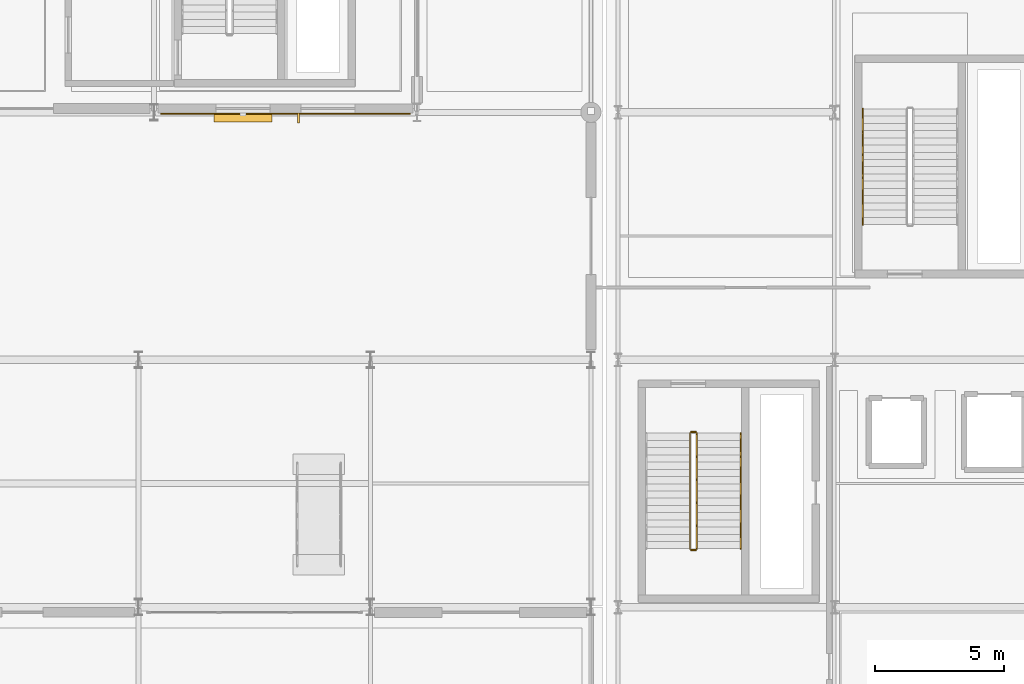
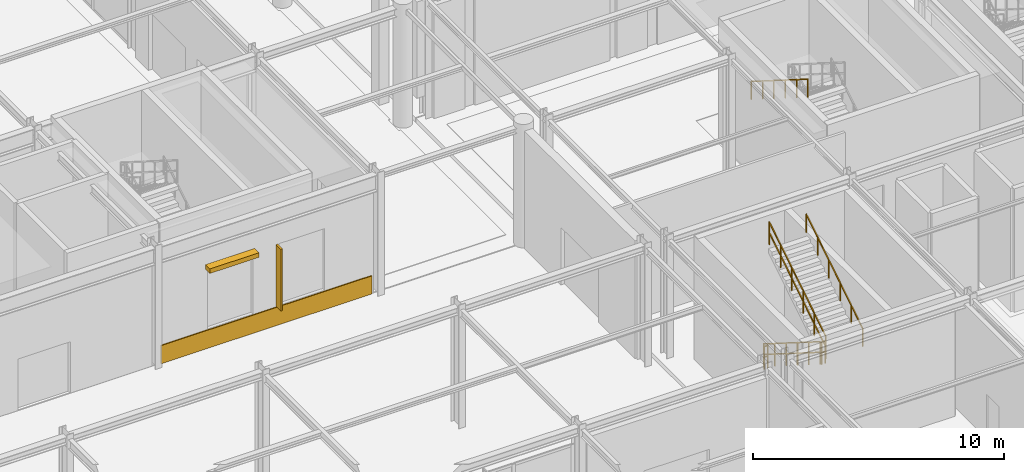
# One storey, part 81 of 113: 6 railings, 2 shading devices, 1 covering.
"""IFC4 building model written with IfcOpenShell, lengths in metres."""

from ifc_helpers import new_model, si_unit, direction, frame, origin, origin_2d, place, context, subcontext, project, spatial, rectangle, extrude, material, layer, layer_set, type_object, element, save


model = new_model("IFC4")

# Units and contexts
model_context = context("Model", 3, precision=1e-05, world=origin(), true_north=direction((0.0, 1.0)))
body_context = subcontext(model_context, "Body", "Model", "MODEL_VIEW")
ifc_project = project(units=[si_unit("LENGTHUNIT", "METRE"), si_unit("AREAUNIT", "SQUARE_METRE"), si_unit("VOLUMEUNIT", "CUBIC_METRE"), si_unit("PLANEANGLEUNIT", "RADIAN"), si_unit("MASSUNIT", "GRAM", prefix="KILO")], contexts=[model_context])

# Site, building, storey
site_placement = place(None, origin())
site = spatial("IfcSite", under=ifc_project, at=site_placement, CompositionType="ELEMENT")
building_placement = place(site_placement, origin())
building = spatial("IfcBuilding", under=site, at=building_placement, Name="Myrtia Square Station", CompositionType="ELEMENT")
storey_placement = place(building_placement, origin())
storey = spatial("IfcBuildingStorey", under=building, at=storey_placement, Name="L00", CompositionType="ELEMENT", Elevation=0.0)

# Covering
ifc_material_1 = material(Name="Pentelic marble ashlar", Category="masonry")
ifc_layer = layer(ifc_material_1, 0.050048828125, Name="Pentelic marble ashlar")
ifc_layer_set = layer_set([ifc_layer], Name="Pentelic marble ashlar")
covering_type = type_object("IfcCoveringType", Name="COV-CLAD-ASHLAR", PredefinedType="CLADDING", material=ifc_layer_set)
covering_placement = place(storey_placement, frame((104.699951171875, 28.7451171875, 0.0), z_axis=(0.0, 0.0, 1.0), x_axis=(1.0, 0.0, 0.0)))
element("IfcCovering", 1, at=covering_placement, inside=storey, type_object=covering_type, Name="Spanish Colonial Revival dado cladding 003", PredefinedType="CLADDING", context=body_context, shape_type="SweptSolid", body=[
    extrude(rectangle(XDim=9.68994140625, YDim=0.050048828125, at=origin_2d()), origin(), (0.0, 0.0, 1.0), 0.8798828125),
])

# Railings
ifc_material_2 = material(Name="Dark bronze anodised aluminium", Category="aluminium")
railing_type_1 = type_object("IfcRailingType", Name="RL-HANDRAIL-900", PredefinedType="HANDRAIL", material=ifc_material_2)
railing_1_placement = place(storey_placement, frame((122.360107421875, 11.8701171875, 3.176513671875)))
element("IfcRailing", 2, at=railing_1_placement, inside=storey, type_object=railing_type_1, Name="L00 ST05 stair handrail 2", PredefinedType="HANDRAIL", context=body_context, shape_type="SweptSolid", body=[
    extrude(rectangle(XDim=0.048095703125, YDim=0.048095703125, at=origin_2d()), frame((0.0, 0.029296875, 0.894287109375), z_axis=(0.0, 0.845997938375, 0.533186166611), x_axis=(-1.0, 0.0, 0.0)), (0.0, 0.0, 1.0), 0.98974609375),
    extrude(rectangle(XDim=0.048095703125, YDim=0.048095703125, at=origin_2d()), frame((0.0, 0.92529296875, 1.458984375), z_axis=(0.0, 0.845997938375, 0.533186166611), x_axis=(-1.0, 0.0, 0.0)), (0.0, 0.0, 1.0), 0.98974609375),
    extrude(rectangle(XDim=0.048095703125, YDim=0.048095703125, at=origin_2d()), frame((0.0, 1.8212890625, 2.023681640625), z_axis=(0.0, 0.845997938375, 0.533186166611), x_axis=(-1.0, 0.0, 0.0)), (0.0, 0.0, 1.0), 0.98974609375),
    extrude(rectangle(XDim=0.048095703125, YDim=0.048095703125, at=origin_2d()), frame((0.0, 2.71728515625, 2.58837890625), z_axis=(0.0, 0.845997938375, 0.533186166611), x_axis=(-1.0, 0.0, 0.0)), (0.0, 0.0, 1.0), 0.98974609375),
    extrude(rectangle(XDim=0.048095703125, YDim=0.048095703125, at=origin_2d()), frame((0.0, 3.61328125, 3.153076171875), z_axis=(0.0, 0.845997938375, 0.533186166611), x_axis=(-1.0, 0.0, 0.0)), (0.0, 0.0, 1.0), 0.98974609375),
    extrude(rectangle(XDim=0.0439453125, YDim=0.0439453125, at=origin_2d()), origin(), (0.0, 0.0, 1.0), 0.89990234375),
    extrude(rectangle(XDim=0.0439453125, YDim=0.0439453125, at=origin_2d()), frame((0.0, 0.89599609375, 0.564697265625)), (0.0, 0.0, 1.0), 0.89990234375),
    extrude(rectangle(XDim=0.0439453125, YDim=0.0439453125, at=origin_2d()), frame((0.0, 1.7919921875, 1.12939453125)), (0.0, 0.0, 1.0), 0.89990234375),
    extrude(rectangle(XDim=0.0439453125, YDim=0.0439453125, at=origin_2d()), frame((0.0, 2.68798828125, 1.694091796875)), (0.0, 0.0, 1.0), 0.89990234375),
    extrude(rectangle(XDim=0.0439453125, YDim=0.0439453125, at=origin_2d()), frame((0.0, 3.583984375, 2.2587890625)), (0.0, 0.0, 1.0), 0.89990234375),
    extrude(rectangle(XDim=0.0439453125, YDim=0.0439453125, at=origin_2d()), frame((0.0, 4.47998046875, 2.823486328125)), (0.0, 0.0, 1.0), 0.89990234375),
])
railing_2_placement = place(storey_placement, frame((127.10009765625, 28.929931640625, 3.176513671875)))
element("IfcRailing", 3, at=railing_2_placement, inside=storey, type_object=railing_type_1, Name="L00 ST10 stair handrail 2", PredefinedType="HANDRAIL", context=body_context, shape_type="SweptSolid", body=[
    extrude(rectangle(XDim=0.048095703125, YDim=0.048095703125, at=origin_2d()), frame((0.0, -0.029296875, 0.894287109375), z_axis=(0.0, -0.845997938375, 0.533186166611), x_axis=(1.0, 0.0, 0.0)), (0.0, 0.0, 1.0), 0.98974609375),
    extrude(rectangle(XDim=0.048095703125, YDim=0.048095703125, at=origin_2d()), frame((0.0, -0.92529296875, 1.458984375), z_axis=(0.0, -0.845997938375, 0.533186166611), x_axis=(1.0, 0.0, 0.0)), (0.0, 0.0, 1.0), 0.98974609375),
    extrude(rectangle(XDim=0.048095703125, YDim=0.048095703125, at=origin_2d()), frame((0.0, -1.8212890625, 2.023681640625), z_axis=(0.0, -0.845997938375, 0.533186166611), x_axis=(1.0, 0.0, 0.0)), (0.0, 0.0, 1.0), 0.98974609375),
    extrude(rectangle(XDim=0.048095703125, YDim=0.048095703125, at=origin_2d()), frame((0.0, -2.71728515625, 2.58837890625), z_axis=(0.0, -0.845997938375, 0.533186166611), x_axis=(1.0, 0.0, 0.0)), (0.0, 0.0, 1.0), 0.98974609375),
    extrude(rectangle(XDim=0.048095703125, YDim=0.048095703125, at=origin_2d()), frame((0.0, -3.61328125, 3.153076171875), z_axis=(0.0, -0.845997938375, 0.533186166611), x_axis=(1.0, 0.0, 0.0)), (0.0, 0.0, 1.0), 0.98974609375),
    extrude(rectangle(XDim=0.0439453125, YDim=0.0439453125, at=origin_2d()), origin(), (0.0, 0.0, 1.0), 0.89990234375),
    extrude(rectangle(XDim=0.0439453125, YDim=0.0439453125, at=origin_2d()), frame((0.0, -0.89599609375, 0.564697265625)), (0.0, 0.0, 1.0), 0.89990234375),
    extrude(rectangle(XDim=0.0439453125, YDim=0.0439453125, at=origin_2d()), frame((0.0, -1.7919921875, 1.12939453125)), (0.0, 0.0, 1.0), 0.89990234375),
    extrude(rectangle(XDim=0.0439453125, YDim=0.0439453125, at=origin_2d()), frame((0.0, -2.68798828125, 1.694091796875)), (0.0, 0.0, 1.0), 0.89990234375),
    extrude(rectangle(XDim=0.0439453125, YDim=0.0439453125, at=origin_2d()), frame((0.0, -3.583984375, 2.2587890625)), (0.0, 0.0, 1.0), 0.89990234375),
    extrude(rectangle(XDim=0.0439453125, YDim=0.0439453125, at=origin_2d()), frame((0.0, -4.47998046875, 2.823486328125)), (0.0, 0.0, 1.0), 0.89990234375),
])
ifc_material_3 = material(Name="Wrought iron", Category="steel")
railing_type_2 = type_object("IfcRailingType", Name="RL-INT-GUARD-1100", PredefinedType="BALUSTRADE", material=ifc_material_3)
railing_3_placement = place(storey_placement, frame((120.39990234375, 16.35009765625, 0.176513671875)))
element("IfcRailing", 4, at=railing_3_placement, inside=storey, type_object=railing_type_2, Name="L00 ST05 stair guard 1", PredefinedType="BALUSTRADE", context=body_context, shape_type="SweptSolid", body=[
    extrude(rectangle(XDim=0.048095703125, YDim=0.048095703125, at=origin_2d()), frame((0.0, -0.029296875, 1.114501953125), z_axis=(0.0, -0.845997938375, 0.533186166611), x_axis=(1.0, 0.0, 0.0)), (0.0, 0.0, 1.0), 0.98974609375),
    extrude(rectangle(XDim=0.048095703125, YDim=0.048095703125, at=origin_2d()), frame((0.0, -0.029296875, 0.600830078125), z_axis=(0.0, -0.845997938375, 0.533186166611), x_axis=(1.0, 0.0, 0.0)), (0.0, 0.0, 1.0), 0.98974609375),
    extrude(rectangle(XDim=0.048095703125, YDim=0.048095703125, at=origin_2d()), frame((0.0, -0.92529296875, 1.67919921875), z_axis=(0.0, -0.845997938375, 0.533186166611), x_axis=(1.0, 0.0, 0.0)), (0.0, 0.0, 1.0), 0.98974609375),
    extrude(rectangle(XDim=0.048095703125, YDim=0.048095703125, at=origin_2d()), frame((0.0, -0.92529296875, 1.16552734375), z_axis=(0.0, -0.845997938375, 0.533186166611), x_axis=(1.0, 0.0, 0.0)), (0.0, 0.0, 1.0), 0.98974609375),
    extrude(rectangle(XDim=0.048095703125, YDim=0.048095703125, at=origin_2d()), frame((0.0, -1.8212890625, 2.243896484375), z_axis=(0.0, -0.845997938375, 0.533186166611), x_axis=(1.0, 0.0, 0.0)), (0.0, 0.0, 1.0), 0.98974609375),
    extrude(rectangle(XDim=0.048095703125, YDim=0.048095703125, at=origin_2d()), frame((0.0, -1.8212890625, 1.730224609375), z_axis=(0.0, -0.845997938375, 0.533186166611), x_axis=(1.0, 0.0, 0.0)), (0.0, 0.0, 1.0), 0.98974609375),
    extrude(rectangle(XDim=0.048095703125, YDim=0.048095703125, at=origin_2d()), frame((0.0, -2.71728515625, 2.80859375), z_axis=(0.0, -0.845997938375, 0.533186166611), x_axis=(1.0, 0.0, 0.0)), (0.0, 0.0, 1.0), 0.98974609375),
    extrude(rectangle(XDim=0.048095703125, YDim=0.048095703125, at=origin_2d()), frame((0.0, -2.71728515625, 2.294921875), z_axis=(0.0, -0.845997938375, 0.533186166611), x_axis=(1.0, 0.0, 0.0)), (0.0, 0.0, 1.0), 0.98974609375),
    extrude(rectangle(XDim=0.048095703125, YDim=0.048095703125, at=origin_2d()), frame((0.0, -3.61328125, 3.373291015625), z_axis=(0.0, -0.845997938375, 0.533186166611), x_axis=(1.0, 0.0, 0.0)), (0.0, 0.0, 1.0), 0.98974609375),
    extrude(rectangle(XDim=0.048095703125, YDim=0.048095703125, at=origin_2d()), frame((0.0, -3.61328125, 2.859619140625), z_axis=(0.0, -0.845997938375, 0.533186166611), x_axis=(1.0, 0.0, 0.0)), (0.0, 0.0, 1.0), 0.98974609375),
    extrude(rectangle(XDim=0.0439453125, YDim=0.0439453125, at=origin_2d()), origin(), (0.0, 0.0, 1.0), 1.1201171875),
    extrude(rectangle(XDim=0.0439453125, YDim=0.0439453125, at=origin_2d()), frame((0.0, -0.89599609375, 0.564697265625)), (0.0, 0.0, 1.0), 1.1201171875),
    extrude(rectangle(XDim=0.0439453125, YDim=0.0439453125, at=origin_2d()), frame((0.0, -1.7919921875, 1.12939453125)), (0.0, 0.0, 1.0), 1.1201171875),
    extrude(rectangle(XDim=0.0439453125, YDim=0.0439453125, at=origin_2d()), frame((0.0, -2.68798828125, 1.694091796875)), (0.0, 0.0, 1.0), 1.1201171875),
    extrude(rectangle(XDim=0.0439453125, YDim=0.0439453125, at=origin_2d()), frame((0.0, -3.583984375, 2.2587890625)), (0.0, 0.0, 1.0), 1.1201171875),
    extrude(rectangle(XDim=0.0439453125, YDim=0.0439453125, at=origin_2d()), frame((0.0, -4.47998046875, 2.823486328125)), (0.0, 0.0, 1.0), 1.1201171875),
])
railing_4_placement = place(storey_placement, frame((120.449951171875, 11.820068359375, 3.0)))
element("IfcRailing", 5, at=railing_4_placement, inside=storey, type_object=railing_type_2, Name="L00 ST05 stair guard 2", PredefinedType="BALUSTRADE", context=body_context, shape_type="SweptSolid", body=[
    extrude(rectangle(XDim=0.048095703125, YDim=0.048095703125, at=origin_2d()), frame((0.03466796875, 0.0, 1.09619140625), z_axis=(1.0, 0.0, 0.0), x_axis=(0.0, 1.0, 0.0)), (0.0, 0.0, 1.0), 0.0908203125),
    extrude(rectangle(XDim=0.048095703125, YDim=0.048095703125, at=origin_2d()), frame((0.03466796875, 0.0, 0.58251953125), z_axis=(1.0, 0.0, 0.0), x_axis=(0.0, 1.0, 0.0)), (0.0, 0.0, 1.0), 0.0908203125),
    extrude(rectangle(XDim=0.0439453125, YDim=0.0439453125, at=origin_2d()), origin(), (0.0, 0.0, 1.0), 1.1201171875),
    extrude(rectangle(XDim=0.0439453125, YDim=0.0439453125, at=origin_2d()), frame((0.16015625, 0.0, 0.0)), (0.0, 0.0, 1.0), 1.1201171875),
])
railing_5_placement = place(storey_placement, frame((120.659912109375, 11.8701171875, 3.176513671875)))
element("IfcRailing", 6, at=railing_5_placement, inside=storey, type_object=railing_type_2, Name="L00 ST05 stair guard 3", PredefinedType="BALUSTRADE", context=body_context, shape_type="SweptSolid", body=[
    extrude(rectangle(XDim=0.048095703125, YDim=0.048095703125, at=origin_2d()), frame((0.0, 0.029296875, 1.114501953125), z_axis=(0.0, 0.845997938375, 0.533186166611), x_axis=(-1.0, 0.0, 0.0)), (0.0, 0.0, 1.0), 0.98974609375),
    extrude(rectangle(XDim=0.048095703125, YDim=0.048095703125, at=origin_2d()), frame((0.0, 0.029296875, 0.600830078125), z_axis=(0.0, 0.845997938375, 0.533186166611), x_axis=(-1.0, 0.0, 0.0)), (0.0, 0.0, 1.0), 0.98974609375),
    extrude(rectangle(XDim=0.048095703125, YDim=0.048095703125, at=origin_2d()), frame((0.0, 0.92529296875, 1.67919921875), z_axis=(0.0, 0.845997938375, 0.533186166611), x_axis=(-1.0, 0.0, 0.0)), (0.0, 0.0, 1.0), 0.98974609375),
    extrude(rectangle(XDim=0.048095703125, YDim=0.048095703125, at=origin_2d()), frame((0.0, 0.92529296875, 1.16552734375), z_axis=(0.0, 0.845997938375, 0.533186166611), x_axis=(-1.0, 0.0, 0.0)), (0.0, 0.0, 1.0), 0.98974609375),
    extrude(rectangle(XDim=0.048095703125, YDim=0.048095703125, at=origin_2d()), frame((0.0, 1.8212890625, 2.243896484375), z_axis=(0.0, 0.845997938375, 0.533186166611), x_axis=(-1.0, 0.0, 0.0)), (0.0, 0.0, 1.0), 0.98974609375),
    extrude(rectangle(XDim=0.048095703125, YDim=0.048095703125, at=origin_2d()), frame((0.0, 1.8212890625, 1.730224609375), z_axis=(0.0, 0.845997938375, 0.533186166611), x_axis=(-1.0, 0.0, 0.0)), (0.0, 0.0, 1.0), 0.98974609375),
    extrude(rectangle(XDim=0.048095703125, YDim=0.048095703125, at=origin_2d()), frame((0.0, 2.71728515625, 2.80859375), z_axis=(0.0, 0.845997938375, 0.533186166611), x_axis=(-1.0, 0.0, 0.0)), (0.0, 0.0, 1.0), 0.98974609375),
    extrude(rectangle(XDim=0.048095703125, YDim=0.048095703125, at=origin_2d()), frame((0.0, 2.71728515625, 2.294921875), z_axis=(0.0, 0.845997938375, 0.533186166611), x_axis=(-1.0, 0.0, 0.0)), (0.0, 0.0, 1.0), 0.98974609375),
    extrude(rectangle(XDim=0.048095703125, YDim=0.048095703125, at=origin_2d()), frame((0.0, 3.61328125, 3.373291015625), z_axis=(0.0, 0.845997938375, 0.533186166611), x_axis=(-1.0, 0.0, 0.0)), (0.0, 0.0, 1.0), 0.98974609375),
    extrude(rectangle(XDim=0.048095703125, YDim=0.048095703125, at=origin_2d()), frame((0.0, 3.61328125, 2.859619140625), z_axis=(0.0, 0.845997938375, 0.533186166611), x_axis=(-1.0, 0.0, 0.0)), (0.0, 0.0, 1.0), 0.98974609375),
    extrude(rectangle(XDim=0.0439453125, YDim=0.0439453125, at=origin_2d()), origin(), (0.0, 0.0, 1.0), 1.1201171875),
    extrude(rectangle(XDim=0.0439453125, YDim=0.0439453125, at=origin_2d()), frame((0.0, 0.89599609375, 0.564697265625)), (0.0, 0.0, 1.0), 1.1201171875),
    extrude(rectangle(XDim=0.0439453125, YDim=0.0439453125, at=origin_2d()), frame((0.0, 1.7919921875, 1.12939453125)), (0.0, 0.0, 1.0), 1.1201171875),
    extrude(rectangle(XDim=0.0439453125, YDim=0.0439453125, at=origin_2d()), frame((0.0, 2.68798828125, 1.694091796875)), (0.0, 0.0, 1.0), 1.1201171875),
    extrude(rectangle(XDim=0.0439453125, YDim=0.0439453125, at=origin_2d()), frame((0.0, 3.583984375, 2.2587890625)), (0.0, 0.0, 1.0), 1.1201171875),
    extrude(rectangle(XDim=0.0439453125, YDim=0.0439453125, at=origin_2d()), frame((0.0, 4.47998046875, 2.823486328125)), (0.0, 0.0, 1.0), 1.1201171875),
])
railing_6_placement = place(storey_placement, frame((120.449951171875, 16.39990234375, 0.0)))
element("IfcRailing", 7, at=railing_6_placement, inside=storey, type_object=railing_type_2, Name="L00 ST05 stair guard 4", PredefinedType="BALUSTRADE", context=body_context, shape_type="SweptSolid", body=[
    extrude(rectangle(XDim=0.048095703125, YDim=0.048095703125, at=origin_2d()), frame((0.03466796875, 0.0, 1.09619140625), z_axis=(1.0, 0.0, 0.0), x_axis=(0.0, 1.0, 0.0)), (0.0, 0.0, 1.0), 0.0908203125),
    extrude(rectangle(XDim=0.048095703125, YDim=0.048095703125, at=origin_2d()), frame((0.03466796875, 0.0, 0.58251953125), z_axis=(1.0, 0.0, 0.0), x_axis=(0.0, 1.0, 0.0)), (0.0, 0.0, 1.0), 0.0908203125),
    extrude(rectangle(XDim=0.0439453125, YDim=0.0439453125, at=origin_2d()), origin(), (0.0, 0.0, 1.0), 1.1201171875),
    extrude(rectangle(XDim=0.0439453125, YDim=0.0439453125, at=origin_2d()), frame((0.16015625, 0.0, 0.0)), (0.0, 0.0, 1.0), 1.1201171875),
])

# Shading devices
shading_device_type_1 = type_object("IfcShadingDeviceType", Name="SHD-FIN-BRONZE", PredefinedType="USERDEFINED", material=ifc_material_2)
shading_device_1_placement = place(storey_placement, frame((105.197998046875, 28.580078125, 0.89990234375), z_axis=(0.0, 0.0, 1.0), x_axis=(1.0, 0.0, 0.0)))
element("IfcShadingDevice", 8, at=shading_device_1_placement, inside=storey, type_object=shading_device_type_1, Name="Vertical bronze solar fin SHF-003", ObjectType="FIN", PredefinedType="USERDEFINED", context=body_context, shape_type="SweptSolid", body=[
    extrude(rectangle(XDim=0.080078125, YDim=0.389892578125, at=origin_2d()), origin(), (0.0, 0.0, 1.0), 3.0),
])
shading_device_type_2 = type_object("IfcShadingDeviceType", Name="SHD-JALOUSIE-BRONZE", PredefinedType="JALOUSIE", material=ifc_material_2)
shading_device_2_placement = place(storey_placement, frame((103.052001953125, 28.60009765625, 3.83984375), z_axis=(0.0, 0.0, 1.0), x_axis=(1.0, 0.0, 0.0)))
element("IfcShadingDevice", 9, at=shading_device_2_placement, inside=storey, type_object=shading_device_type_2, Name="Mediterranean bronze solar louvre SHL-003", PredefinedType="JALOUSIE", context=body_context, shape_type="SweptSolid", body=[
    extrude(rectangle(XDim=2.260009765625, YDim=0.35009765625, at=origin_2d()), origin(), (0.0, 0.0, 1.0), 0.219970703125),
])

save(model, "model.ifc")
